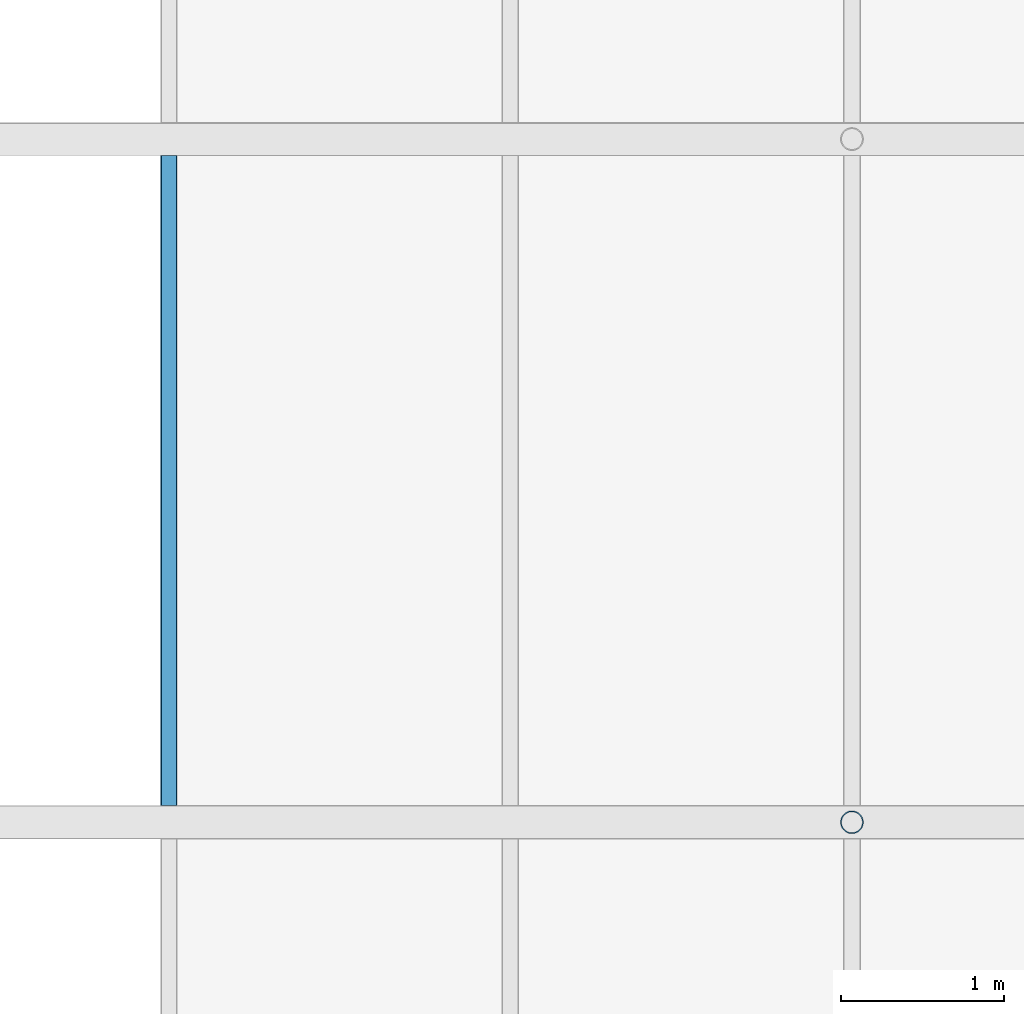
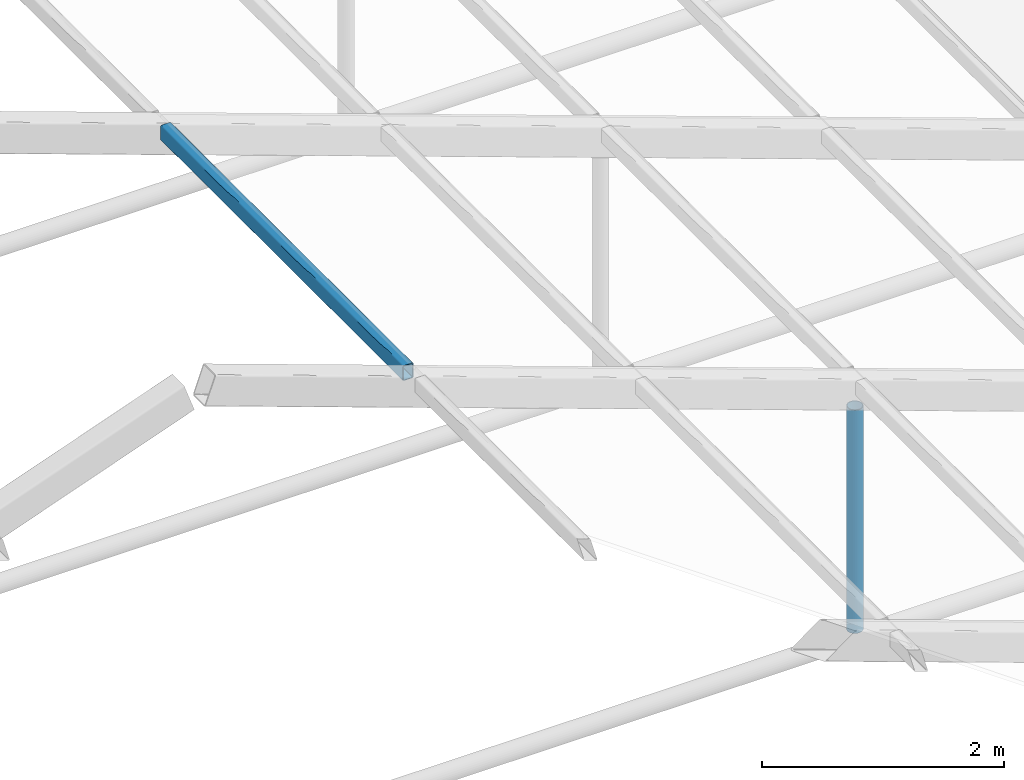
# One storey, part 33 of 116: 2 members.
"""IFC4 building model written with IfcOpenShell, lengths in metres."""

from ifc_helpers import new_model, si_unit, direction, frame, origin, origin_2d, place, context, subcontext, project, spatial, hollow_rectangle, hollow_circle, extrude, material, material_profile, profile_set, type_object, element, save


model = new_model("IFC4")

# Units and contexts
model_context = context("Model", 3, precision=1e-05, world=origin(), true_north=direction((0.0, 1.0)))
body_context = subcontext(model_context, "Body", "Model", "MODEL_VIEW")
ifc_project = project(units=[si_unit("LENGTHUNIT", "METRE"), si_unit("AREAUNIT", "SQUARE_METRE"), si_unit("VOLUMEUNIT", "CUBIC_METRE"), si_unit("PLANEANGLEUNIT", "RADIAN"), si_unit("MASSUNIT", "GRAM", prefix="KILO")], contexts=[model_context])

# Site, building, storey
site_placement = place(None, origin())
site = spatial("IfcSite", under=ifc_project, at=site_placement, CompositionType="ELEMENT")
building_placement = place(site_placement, origin())
building = spatial("IfcBuilding", under=site, at=building_placement, Name="Fescue Hill Polytechnic", CompositionType="ELEMENT")
storey_placement = place(building_placement, frame((0.0, 0.0, 13.5)))
storey = spatial("IfcBuildingStorey", under=building, at=storey_placement, Name="L03", CompositionType="ELEMENT", Elevation=13.5)

# Members
ifc_material = material(Name="Steel 350W (350 MPa)", Category="steel")
ifc_material_profile_1 = material_profile(ifc_material, hollow_rectangle(XDim=0.1015625, YDim=0.15234375, WallThickness=0.00634765625, InnerFilletRadius=0.00634765625, OuterFilletRadius=0.0126953125, at=origin_2d()), Name="Winter garden glazing purlin HSS 152x102x6.4")
ifc_profile_set_1 = profile_set([ifc_material_profile_1], Name="Steel 350W (350 MPa)")
member_type_1 = type_object("IfcMemberType", Name="Winter garden glazing purlin HSS 152x102x6.4", PredefinedType="PURLIN", material=ifc_profile_set_1)
member_1_placement = place(storey_placement, frame((107.100341796875, 58.901611328125, 4.414306640625), z_axis=(0.0, 1.0, 0.0), x_axis=(-1.0, 0.0, 0.0)))
element("IfcMember", 1, at=member_1_placement, inside=storey, type_object=member_type_1, Name="Winter garden glazing purlin E5 bay 3", PredefinedType="PURLIN", context=body_context, shape_type="SweptSolid", body=[
    extrude(hollow_rectangle(XDim=0.1015625, YDim=0.15234375, WallThickness=0.00634765625, InnerFilletRadius=0.00634765625, OuterFilletRadius=0.0126953125, at=origin_2d()), origin(), (0.0, 0.0, 1.0), 3.996826171875),
])
ifc_material_profile_2 = material_profile(ifc_material, hollow_circle(Radius=0.070556640625, WallThickness=0.00634765625, at=origin_2d()), Name="Winter garden queen post CHS 141x6.4")
ifc_profile_set_2 = profile_set([ifc_material_profile_2], Name="Steel 350W (350 MPa)")
member_type_2 = type_object("IfcMemberType", Name="Winter garden queen post CHS 141x6.4", PredefinedType="POST", material=ifc_profile_set_2)
member_2_placement = place(storey_placement, frame((111.300048828125, 58.800048828125, 0.4169921875), z_axis=(0.0, 0.0, 1.0), x_axis=(1.0, 0.0, 0.0)))
element("IfcMember", 2, at=member_2_placement, inside=storey, type_object=member_type_2, Name="Winter garden queen post 3B", PredefinedType="POST", context=body_context, shape_type="SweptSolid", body=[
    extrude(hollow_circle(Radius=0.070556640625, WallThickness=0.00634765625, at=origin_2d()), origin(), (0.0, 0.0, 1.0), 2.25),
])

save(model, "model.ifc")
